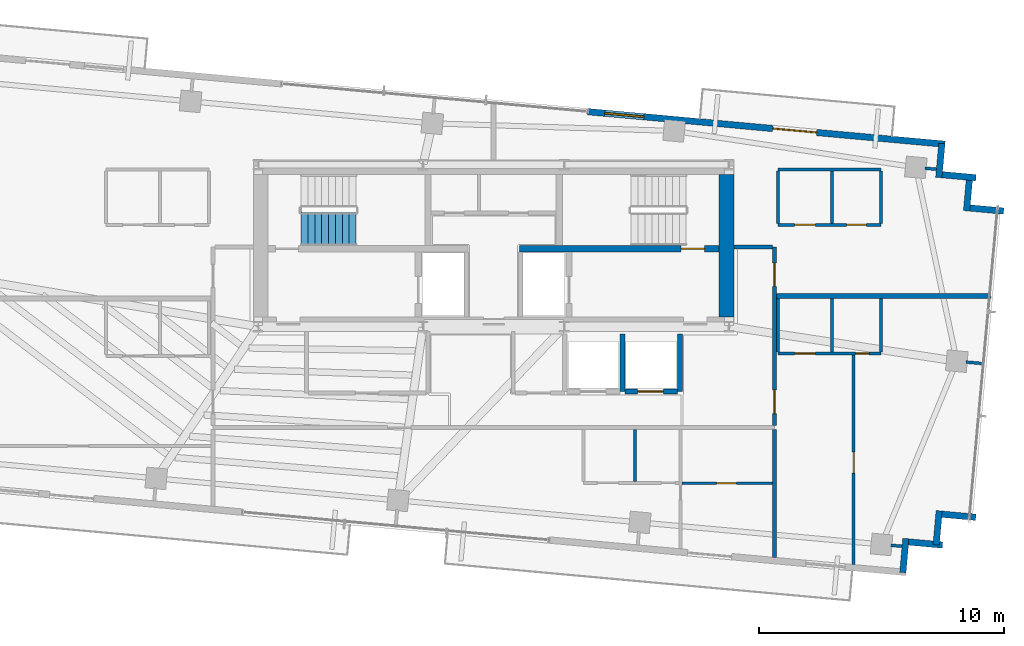
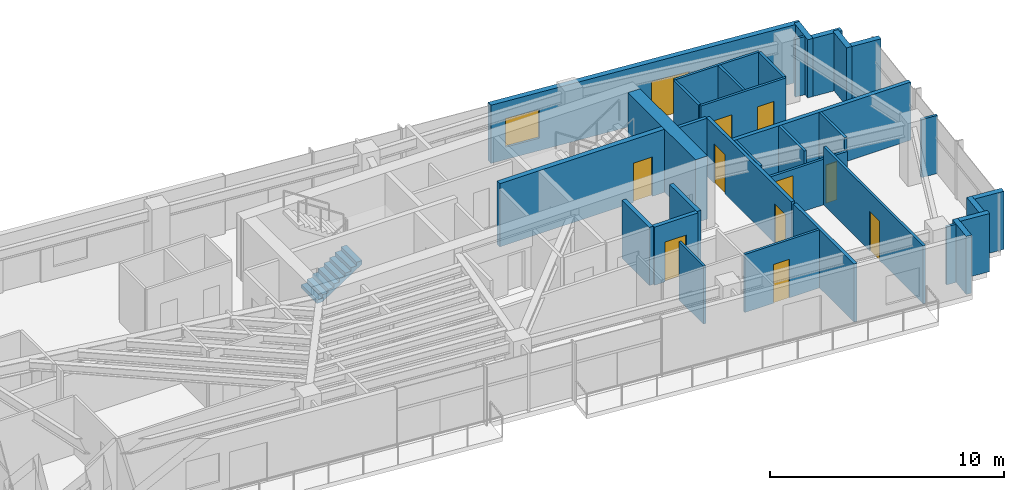
# One storey, part 18 of 22: 33 walls, 11 doors, 1 stair flight, 1 window, 12 openings, 1 element without a shape of its own.
"""IFC4 building model written with IfcOpenShell, lengths in metres."""

from ifc_helpers import new_model, si_unit, direction, frame, frame_2d, origin, place, context, subcontext, project, spatial, polyline, rectangle, outline, extrude, source, transform, mapped, material, layer, layer_set, type_object, type_shapes, element, fill, aggregate, save


model = new_model("IFC4")

# Units and contexts
model_context = context("Model", 3, precision=1e-05, world=origin(), true_north=direction((0.0, 1.0)))
body_context = subcontext(model_context, "Body", "Model", "MODEL_VIEW")
ifc_project = project(units=[si_unit("LENGTHUNIT", "METRE"), si_unit("AREAUNIT", "SQUARE_METRE"), si_unit("VOLUMEUNIT", "CUBIC_METRE"), si_unit("PLANEANGLEUNIT", "RADIAN"), si_unit("MASSUNIT", "GRAM", prefix="KILO")], contexts=[model_context])

# Site, building, storey
site_placement = place(None, origin())
site = spatial("IfcSite", under=ifc_project, at=site_placement, CompositionType="ELEMENT")
building_placement = place(site_placement, origin())
building = spatial("IfcBuilding", under=site, at=building_placement, Name="Astriad Promenade Condominiums", CompositionType="ELEMENT")
storey_placement = place(building_placement, frame((0.0, 0.0, 249.60009765625)))
storey = spatial("IfcBuildingStorey", under=building, at=storey_placement, Name="L72", CompositionType="ELEMENT", Elevation=249.60009765625)

# Wall
ifc_material_1 = material(Name="Concrete C50/60", Category="concrete")
ifc_layer_1 = layer(ifc_material_1, 0.60009765625)
ifc_layer_set_1 = layer_set([ifc_layer_1], Name="Concrete C50/60")
wall_type_1 = type_object("IfcWallType", Name="CW-SHEAR-600", PredefinedType="SHEAR", material=ifc_layer_set_1)
wall_1_placement = place(storey_placement, frame((45.5, 17.802001953125, 0.0), z_axis=(0.0, 0.0, 1.0), x_axis=(0.0, 1.0, 0.0)))
element("IfcWall", 1, at=wall_1_placement, inside=storey, type_object=wall_type_1, Name="CW-CORE-E-L72", PredefinedType="SHEAR", context=body_context, shape_type="SweptSolid", body=[
    extrude(rectangle(XDim=5.7958984375, YDim=0.60009765625, at=frame_2d((2.89794921875, 0.0))), origin(), (0.0, 0.0, 1.0), 3.2998046875),
])

# Wall, opening, door
ifc_layer_2 = layer(ifc_material_1, 0.25)
ifc_layer_set_2 = layer_set([ifc_layer_2], Name="Concrete C50/60")
wall_type_2 = type_object("IfcWallType", Name="WALL-CORE-INT-250", PredefinedType="SOLIDWALL", material=ifc_layer_set_2)
wall_2_placement = place(storey_placement, frame((37.050048828125, 20.574951171875, 0.0), z_axis=(0.0, 0.0, 1.0), x_axis=(1.0, 0.0, 0.0)))
wall_2 = element("IfcWall", 2, at=wall_2_placement, inside=storey, type_object=wall_type_2, Name="CW-INT-H2-L72", PredefinedType="SOLIDWALL", context=body_context, shape_type="SweptSolid", body=[
    extrude(rectangle(XDim=8.14794921875, YDim=0.25, at=frame_2d((4.073974609375, 0.0))), origin(), (0.0, 0.0, 1.0), 3.2998046875),
])
opening_1_placement = place(wall_2_placement, frame((6.60009765625, 0.0, 0.0)))
opening_1 = element("IfcOpeningElement", 3, at=opening_1_placement, cuts=wall_2, Name="Opening FD90-ST-095", PredefinedType="OPENING", context=body_context, shape_type="SweptSolid", body=[
    extrude(rectangle(XDim=0.949951171875, YDim=2.06005859375, at=frame_2d((0.47509765625, 1.030029296875))), frame((0.0, 0.135009765625, 0.0), z_axis=(0.0, -1.0, 0.0), x_axis=(1.0, 0.0, 0.0)), (0.0, 0.0, 1.0), 0.27001953125),
])
ifc_material_2 = material(Name="Fire-Rated Hollow Metal Stair Door")
door_type_1 = type_object("IfcDoorType", Name="FD90-ST-095", OperationType="NOTDEFINED", PredefinedType="DOOR", material=ifc_material_2)
shared_shape_1 = source(origin(), body_context, "Body", "SweptSolid", [
    extrude(rectangle(XDim=0.949951171875, YDim=2.06005859375, at=frame_2d((0.47509765625, 1.030029296875))), frame((0.0, 0.02490234375, 0.0), z_axis=(0.0, -1.0, 0.0), x_axis=(1.0, 0.0, 0.0)), (0.0, 0.0, 1.0), 0.050048828125),
])
type_shapes(door_type_1, [shared_shape_1])
door_1_placement = place(opening_1_placement, origin())
door_1 = element("IfcDoor", 4, at=door_1_placement, inside=storey, type_object=door_type_1, Name="D-ST2-L72", OperationType="SINGLE_SWING_LEFT", OverallHeight=2.06005859375, OverallWidth=0.949951171875, PredefinedType="DOOR", context=body_context, shape_type="MappedRepresentation", body=[
    mapped(shared_shape_1, transform((0.0, 0.0, 0.0), scale=1.0)),
])
fill(opening_1, door_1)

# Wall
ifc_material_3 = material(Name="Fire-Rated Gypsum Partition")
ifc_layer_3 = layer(ifc_material_3, 0.159912109375)
ifc_layer_set_3 = layer_set([ifc_layer_3], Name="Fire-Rated Gypsum Partition")
wall_type_3 = type_object("IfcWallType", Name="WALL-CORR-160", PredefinedType="PARTITIONING", material=ifc_layer_set_3)
wall_3_placement = place(storey_placement, frame((47.449951171875, 7.9931640625, 0.0), z_axis=(0.0, 0.0, 1.0), x_axis=(0.0, 1.0, 0.0)))
element("IfcWall", 5, at=wall_3_placement, inside=storey, type_object=wall_type_3, Name="PT-COR-E-L72", PredefinedType="PARTITIONING", context=body_context, shape_type="SweptSolid", body=[
    extrude(rectangle(XDim=5.204833984375, YDim=0.159912109375, at=frame_2d((2.6025390625, 0.0))), origin(), (0.0, 0.0, 1.0), 3.039794921875),
])

# Wall, openings, doors
wall_4_placement = place(storey_placement, frame((47.449951171875, 13.362060546875, 0.0), z_axis=(0.0, 0.0, 1.0), x_axis=(0.0, 1.0, 0.0)))
wall_4 = element("IfcWall", 6, at=wall_4_placement, inside=storey, type_object=wall_type_3, Name="PT-COR-E-L72-S2", PredefinedType="PARTITIONING", context=body_context, shape_type="SweptSolid", body=[
    extrude(rectangle(XDim=7.287841796875, YDim=0.159912109375, at=frame_2d((3.64404296875, 0.0))), origin(), (0.0, 0.0, 1.0), 3.039794921875),
])
opening_2_placement = place(wall_4_placement, frame((0.492919921875, 0.0, 0.0)))
opening_2 = element("IfcOpeningElement", 7, at=opening_2_placement, cuts=wall_4, Name="Opening FD60-APT-095", PredefinedType="OPENING", context=body_context, shape_type="SweptSolid", body=[
    extrude(rectangle(XDim=0.949951171875, YDim=2.06005859375, at=frame_2d((0.47509765625, 1.030029296875))), frame((0.0, 0.08984375, 0.0), z_axis=(0.0, -1.0, 0.0), x_axis=(1.0, 0.0, 0.0)), (0.0, 0.0, 1.0), 0.179931640625),
])
opening_3_placement = place(wall_4_placement, frame((5.680908203125, 0.0, 0.0)))
opening_3 = element("IfcOpeningElement", 8, at=opening_3_placement, cuts=wall_4, Name="Opening FD60-APT-095", PredefinedType="OPENING", context=body_context, shape_type="SweptSolid", body=[
    extrude(rectangle(XDim=0.949951171875, YDim=2.06005859375, at=frame_2d((0.47509765625, 1.030029296875))), frame((0.0, 0.08984375, 0.0), z_axis=(0.0, -1.0, 0.0), x_axis=(1.0, 0.0, 0.0)), (0.0, 0.0, 1.0), 0.179931640625),
])
ifc_material_4 = material(Name="Solid-Core Acoustic Timber Residence Entry Door", Category="wood")
door_type_2 = type_object("IfcDoorType", Name="FD60-APT-095", OperationType="NOTDEFINED", PredefinedType="DOOR", material=ifc_material_4)
shared_shape_2 = source(origin(), body_context, "Body", "SweptSolid", [
    extrude(rectangle(XDim=0.949951171875, YDim=2.06005859375, at=frame_2d((0.47509765625, 1.030029296875))), frame((0.0, 0.02490234375, 0.0), z_axis=(0.0, -1.0, 0.0), x_axis=(1.0, 0.0, 0.0)), (0.0, 0.0, 1.0), 0.050048828125),
])
type_shapes(door_type_2, [shared_shape_2])
door_2_placement = place(opening_2_placement, origin())
door_2 = element("IfcDoor", 9, at=door_2_placement, inside=storey, type_object=door_type_2, Name="D-ENT-L72-E1", OperationType="SINGLE_SWING_RIGHT", OverallHeight=2.06005859375, OverallWidth=0.949951171875, PredefinedType="DOOR", context=body_context, shape_type="MappedRepresentation", body=[
    mapped(shared_shape_2, transform((0.0, 0.0, 0.0), scale=1.0)),
])
fill(opening_2, door_2)
door_3_placement = place(opening_3_placement, origin())
door_3 = element("IfcDoor", 10, at=door_3_placement, inside=storey, type_object=door_type_2, Name="D-ENT-L72-E2", OperationType="SINGLE_SWING_RIGHT", OverallHeight=2.06005859375, OverallWidth=0.949951171875, PredefinedType="DOOR", context=body_context, shape_type="MappedRepresentation", body=[
    mapped(shared_shape_2, transform((0.0, 0.0, 0.0), scale=1.0)),
])
fill(opening_3, door_3)

# Walls
wall_5_placement = place(storey_placement, frame((45.802001953125, 20.64990234375, 0.0), z_axis=(0.0, 0.0, 1.0), x_axis=(1.0, 0.0, 0.0)))
element("IfcWall", 11, at=wall_5_placement, inside=storey, type_object=wall_type_3, Name="PT-Z3E-N-L72", PredefinedType="PARTITIONING", context=body_context, shape_type="SweptSolid", body=[
    extrude(rectangle(XDim=1.56591796875, YDim=0.159912109375, at=frame_2d((0.782958984375, 0.0))), origin(), (0.0, 0.0, 1.0), 3.039794921875),
])
ifc_material_5 = material(Name="Acoustic Double-Stud Gypsum Partition")
ifc_layer_4 = layer(ifc_material_5, 0.199951171875)
ifc_layer_set_4 = layer_set([ifc_layer_4], Name="Acoustic Double-Stud Gypsum Partition")
wall_type_4 = type_object("IfcWallType", Name="WALL-DEMISING-200", PredefinedType="PARTITIONING", material=ifc_layer_set_4)
wall_6_placement = place(storey_placement, frame((47.531982421875, 18.64990234375, 0.0), z_axis=(0.0, 0.0, 1.0), x_axis=(1.0, 0.0, 0.0)))
element("IfcWall", 12, at=wall_6_placement, inside=storey, type_object=wall_type_4, Name="PT-DEM-EE-L72", PredefinedType="PARTITIONING", context=body_context, shape_type="SweptSolid", body=[
    extrude(rectangle(XDim=8.743408203125, YDim=0.199951171875, at=frame_2d((4.37158203125, 0.0))), origin(), (0.0, 0.0, 1.0), 3.039794921875),
])

# Wall, openings, door, window
ifc_material_6 = material(Name="Precast concrete C50/60", Category="concrete")
ifc_layer_5 = layer(ifc_material_6, 0.260009765625)
ifc_layer_set_5 = layer_set([ifc_layer_5], Name="Precast concrete C50/60")
wall_type_5 = type_object("IfcWallType", Name="WALL-EXT-TWR-260", PredefinedType="STANDARD", material=ifc_layer_set_5)
wall_7_placement = place(storey_placement, frame((39.839111328125, 26.16552734375, 0.0), z_axis=(0.0, 0.0, 1.0), x_axis=(0.995884447498, -0.090632043071, 0.0)))
wall_7 = element("IfcWall", 13, at=wall_7_placement, inside=storey, type_object=wall_type_5, Name="W-EXT-L72-N2", PredefinedType="STANDARD", context=body_context, shape_type="SweptSolid", body=[
    extrude(rectangle(XDim=14.6298828125, YDim=0.260009765625, at=frame_2d((7.31494140625, 0.0))), origin(), (0.0, 0.0, 1.0), 3.039794921875),
])
opening_4_placement = place(wall_7_placement, frame((7.570068359375, 0.0, 0.0)))
opening_4 = element("IfcOpeningElement", 14, at=opening_4_placement, cuts=wall_7, Name="Opening BD-1822-SLD", PredefinedType="OPENING", context=body_context, shape_type="SweptSolid", body=[
    extrude(rectangle(XDim=1.800048828125, YDim=2.06005859375, at=frame_2d((0.89990234375, 1.030029296875))), frame((0.0, 0.139892578125, 0.0), z_axis=(0.0, -1.0, 0.0), x_axis=(1.0, 0.0, 0.0)), (0.0, 0.0, 1.0), 0.280029296875),
])
opening_5_placement = place(wall_7_placement, frame((0.699951171875, 0.0, 0.64990234375)))
opening_5 = element("IfcOpeningElement", 15, at=opening_5_placement, cuts=wall_7, Name="Opening WIN-TWR-1620", PredefinedType="OPENING", context=body_context, shape_type="SweptSolid", body=[
    extrude(rectangle(XDim=1.60009765625, YDim=1.5, at=frame_2d((0.800048828125, 0.75))), frame((0.0, 0.139892578125, 0.0), z_axis=(0.0, -1.0, 0.0), x_axis=(1.0, 0.0, 0.0)), (0.0, 0.0, 1.0), 0.280029296875),
])
ifc_material_7 = material(Name="Thermally Broken Aluminium Sliding Balcony Door", Category="aluminium")
door_type_3 = type_object("IfcDoorType", Name="BD-1822-SLD", OperationType="NOTDEFINED", PredefinedType="DOOR", material=ifc_material_7)
shared_shape_3 = source(origin(), body_context, "Body", "SweptSolid", [
    extrude(rectangle(XDim=1.800048828125, YDim=2.06005859375, at=frame_2d((0.89990234375, 1.030029296875))), frame((0.0, 0.02490234375, 0.0), z_axis=(0.0, -1.0, 0.0), x_axis=(1.0, 0.0, 0.0)), (0.0, 0.0, 1.0), 0.050048828125),
])
type_shapes(door_type_3, [shared_shape_3])
door_4_placement = place(opening_4_placement, origin())
door_4 = element("IfcDoor", 16, at=door_4_placement, inside=storey, type_object=door_type_3, Name="BD-L72-NE", OperationType="SLIDING_TO_RIGHT", OverallHeight=2.06005859375, OverallWidth=1.800048828125, PredefinedType="DOOR", context=body_context, shape_type="MappedRepresentation", body=[
    mapped(shared_shape_3, transform((0.0, 0.0, 0.0), scale=1.0)),
])
fill(opening_4, door_4)
ifc_material_8 = material(Name="Dark Tinted Triple-Glazed Aluminium Window", Category="aluminium")
window_type = type_object("IfcWindowType", Name="WIN-TWR-1620", PartitioningType="SINGLE_PANEL", PredefinedType="WINDOW", material=ifc_material_8)
shared_shape_4 = source(origin(), body_context, "Body", "SweptSolid", [
    extrude(rectangle(XDim=1.60009765625, YDim=1.5, at=frame_2d((0.800048828125, 0.75))), frame((0.0, 0.030029296875, 0.0), z_axis=(0.0, -1.0, 0.0), x_axis=(1.0, 0.0, 0.0)), (0.0, 0.0, 1.0), 0.06005859375),
])
type_shapes(window_type, [shared_shape_4])
window_placement = place(opening_5_placement, origin())
window = element("IfcWindow", 17, at=window_placement, inside=storey, type_object=window_type, Name="WIN-L72-NE", OverallHeight=1.5, OverallWidth=1.60009765625, PartitioningType="SINGLE_PANEL", PredefinedType="WINDOW", context=body_context, shape_type="MappedRepresentation", body=[
    mapped(shared_shape_4, transform((0.0, 0.0, 0.0), scale=1.0)),
])
fill(opening_5, window)

# Walls
wall_8_placement = place(storey_placement, frame((54.28076171875, 24.866455078125, 0.0), z_axis=(0.0, 0.0, 1.0), x_axis=(-0.090661991521, -0.995881721538, 0.0)))
element("IfcWall", 18, at=wall_8_placement, inside=storey, type_object=wall_type_5, Name="W-SER-L72-09", PredefinedType="STANDARD", context=body_context, shape_type="SweptSolid", body=[
    extrude(rectangle(XDim=1.39501953125, YDim=0.260009765625, at=frame_2d((0.697509765625, 0.0))), origin(), (0.0, 0.0, 1.0), 3.039794921875),
])
for number, where, z_axis, x_axis, name in (
    (19, (54.280517578125, 23.59619140625, 0.0), (0.0, 0.0, 1.0), (0.995883159782, -0.090646191665, 0.0), "W-SER-L72-10"),
    (20, (55.412353515625, 23.50830078125, 0.0), (0.0, 0.0, 1.0), (-0.090646191665, -0.995883159782, 0.0), "W-SER-L72-11"),
    (21, (55.412109375, 22.238037109375, 0.0), (0.0, 0.0, 1.0), (0.995883159782, -0.090646191665, 0.0), "W-SER-L72-12"),
):
    element("IfcWall", number, at=place(storey_placement, frame(where, z_axis=z_axis, x_axis=x_axis)), inside=storey, type_object=wall_type_5, Name=name, PredefinedType="STANDARD", context=body_context, shape_type="SweptSolid", body=[
        extrude(rectangle(XDim=1.395263671875, YDim=0.260009765625, at=frame_2d((0.69775390625, 0.0))), origin(), (0.0, 0.0, 1.0), 3.039794921875),
    ])
for number, where, z_axis, x_axis, name in (
    (22, (55.664794921875, 9.623291015625, 0.0), (0.0, 0.0, 1.0), (-0.995881721538, 0.090661991521, 0.0), "W-SER-L72-14"),
    (23, (54.1728515625, 9.889404296875, 0.0), (0.0, 0.0, 1.0), (-0.090661991521, -0.995881721538, 0.0), "W-SER-L72-15"),
):
    element("IfcWall", number, at=place(storey_placement, frame(where, z_axis=z_axis, x_axis=x_axis)), inside=storey, type_object=wall_type_5, Name=name, PredefinedType="STANDARD", context=body_context, shape_type="SweptSolid", body=[
        extrude(rectangle(XDim=1.39501953125, YDim=0.260009765625, at=frame_2d((0.697509765625, 0.0))), origin(), (0.0, 0.0, 1.0), 3.039794921875),
    ])
for number, where, z_axis, x_axis, name in (
    (24, (54.306884765625, 8.49169921875, 0.0), (0.0, 0.0, 1.0), (-0.995883159782, 0.090646191665, 0.0), "W-SER-L72-16"),
    (25, (52.814697265625, 8.758056640625, 0.0), (0.0, 0.0, 1.0), (-0.090646191665, -0.995883159782, 0.0), "W-SER-L72-17"),
):
    element("IfcWall", number, at=place(storey_placement, frame(where, z_axis=z_axis, x_axis=x_axis)), inside=storey, type_object=wall_type_5, Name=name, PredefinedType="STANDARD", context=body_context, shape_type="SweptSolid", body=[
        extrude(rectangle(XDim=1.395263671875, YDim=0.260009765625, at=frame_2d((0.69775390625, 0.0))), origin(), (0.0, 0.0, 1.0), 3.039794921875),
    ])
ifc_material_9 = material(Name="Acoustic Metal-Stud Gypsum Partition")
ifc_layer_6 = layer(ifc_material_9, 0.1201171875)
ifc_layer_set_6 = layer_set([ifc_layer_6], Name="Acoustic Metal-Stud Gypsum Partition")
wall_type_6 = type_object("IfcWallType", Name="WALL-PART-120", PredefinedType="PARTITIONING", material=ifc_layer_set_6)
wall_9_placement = place(storey_placement, frame((41.77001953125, 11.092041015625, 0.0), z_axis=(0.0, 0.0, 1.0), x_axis=(0.0, 1.0, 0.0)))
element("IfcWall", 26, at=wall_9_placement, inside=storey, type_object=wall_type_6, Name="PT-L72-S1-PBK", PredefinedType="PARTITIONING", context=body_context, shape_type="SweptSolid", body=[
    extrude(rectangle(XDim=2.10595703125, YDim=0.1201171875, at=frame_2d((1.052978515625, 0.0))), origin(), (0.0, 0.0, 1.0), 3.039794921875),
])

# Wall, opening, door
wall_10_placement = place(storey_placement, frame((43.681884765625, 11.010986328125, 0.0), z_axis=(0.0, 0.0, 1.0), x_axis=(1.0, 0.0, 0.0)))
wall_10 = element("IfcWall", 27, at=wall_10_placement, inside=storey, type_object=wall_type_6, Name="PT-L72-S1-ENS", PredefinedType="PARTITIONING", context=body_context, shape_type="SweptSolid", body=[
    extrude(rectangle(XDim=3.68603515625, YDim=0.1201171875, at=frame_2d((1.843017578125, 0.0))), origin(), (0.0, 0.0, 1.0), 3.039794921875),
])
opening_6_placement = place(wall_10_placement, frame((1.4130859375, 0.0, 0.0)))
opening_6 = element("IfcOpeningElement", 28, at=opening_6_placement, cuts=wall_10, Name="Opening D-WET-080", PredefinedType="OPENING", context=body_context, shape_type="SweptSolid", body=[
    extrude(rectangle(XDim=0.800048828125, YDim=2.02001953125, at=frame_2d((0.39990234375, 1.010009765625))), frame((0.0, 0.070068359375, 0.0), z_axis=(0.0, -1.0, 0.0), x_axis=(1.0, 0.0, 0.0)), (0.0, 0.0, 1.0), 0.14013671875),
])
ifc_material_10 = material(Name="Moisture-Resistant Timber Bathroom Door", Category="wood")
door_type_4 = type_object("IfcDoorType", Name="D-WET-080", OperationType="NOTDEFINED", PredefinedType="DOOR", material=ifc_material_10)
shared_shape_5 = source(origin(), body_context, "Body", "SweptSolid", [
    extrude(rectangle(XDim=0.800048828125, YDim=2.02001953125, at=frame_2d((0.39990234375, 1.010009765625))), frame((0.0, 0.02490234375, 0.0), z_axis=(0.0, -1.0, 0.0), x_axis=(1.0, 0.0, 0.0)), (0.0, 0.0, 1.0), 0.050048828125),
])
type_shapes(door_type_4, [shared_shape_5])
door_5_placement = place(opening_6_placement, origin())
door_5 = element("IfcDoor", 29, at=door_5_placement, inside=storey, type_object=door_type_4, Name="D-ENS-L72-S1", OperationType="SINGLE_SWING_RIGHT", OverallHeight=2.02001953125, OverallWidth=0.800048828125, PredefinedType="DOOR", context=body_context, shape_type="MappedRepresentation", body=[
    mapped(shared_shape_5, transform((0.0, 0.0, 0.0), scale=1.0)),
])
fill(opening_6, door_5)

# Wall, openings, doors
wall_11_placement = place(storey_placement, frame((47.60009765625, 16.300048828125, 0.0), z_axis=(0.0, 0.0, 1.0), x_axis=(1.0, 0.0, 0.0)))
wall_11 = element("IfcWall", 30, at=wall_11_placement, inside=storey, type_object=wall_type_6, Name="PT-L72-E1-PH", PredefinedType="PARTITIONING", context=body_context, shape_type="SweptSolid", body=[
    extrude(rectangle(XDim=4.199951171875, YDim=0.1201171875, at=frame_2d((2.10009765625, 0.0))), origin(), (0.0, 0.0, 1.0), 2.38134765625),
])
opening_7_placement = place(wall_11_placement, frame((0.675048828125, 0.0, 0.0)))
opening_7 = element("IfcOpeningElement", 31, at=opening_7_placement, cuts=wall_11, Name="Opening D-INT-085", PredefinedType="OPENING", context=body_context, shape_type="SweptSolid", body=[
    extrude(rectangle(XDim=0.85009765625, YDim=2.050048828125, at=frame_2d((0.425048828125, 1.02490234375))), frame((0.0, 0.070068359375, 0.0), z_axis=(0.0, -1.0, 0.0), x_axis=(1.0, 0.0, 0.0)), (0.0, 0.0, 1.0), 0.14013671875),
])
opening_8_placement = place(wall_11_placement, frame((3.1650390625, 0.0, 0.0)))
opening_8 = element("IfcOpeningElement", 32, at=opening_8_placement, cuts=wall_11, Name="Opening D-AC-055", PredefinedType="OPENING", context=body_context, shape_type="SweptSolid", body=[
    extrude(rectangle(XDim=0.550048828125, YDim=2.0, at=frame_2d((0.27490234375, 1.0))), frame((0.0, 0.070068359375, 0.0), z_axis=(0.0, -1.0, 0.0), x_axis=(1.0, 0.0, 0.0)), (0.0, 0.0, 1.0), 0.14013671875),
])
ifc_material_11 = material(Name="Painted Solid-Core Timber Room Door", Category="wood")
door_type_5 = type_object("IfcDoorType", Name="D-INT-085", OperationType="NOTDEFINED", PredefinedType="DOOR", material=ifc_material_11)
shared_shape_6 = source(origin(), body_context, "Body", "SweptSolid", [
    extrude(rectangle(XDim=0.85009765625, YDim=2.050048828125, at=frame_2d((0.425048828125, 1.02490234375))), frame((0.0, 0.02490234375, 0.0), z_axis=(0.0, -1.0, 0.0), x_axis=(1.0, 0.0, 0.0)), (0.0, 0.0, 1.0), 0.050048828125),
])
type_shapes(door_type_5, [shared_shape_6])
door_6_placement = place(opening_7_placement, origin())
door_6 = element("IfcDoor", 33, at=door_6_placement, inside=storey, type_object=door_type_5, Name="D-KIT-L72-E1", OperationType="SINGLE_SWING_RIGHT", OverallHeight=2.050048828125, OverallWidth=0.85009765625, PredefinedType="DOOR", context=body_context, shape_type="MappedRepresentation", body=[
    mapped(shared_shape_6, transform((0.0, 0.0, 0.0), scale=1.0)),
])
fill(opening_7, door_6)
ifc_material_12 = material(Name="Painted Timber Access Door", Category="wood")
door_type_6 = type_object("IfcDoorType", Name="D-AC-055", OperationType="NOTDEFINED", PredefinedType="DOOR", material=ifc_material_12)
shared_shape_7 = source(origin(), body_context, "Body", "SweptSolid", [
    extrude(rectangle(XDim=0.550048828125, YDim=2.0, at=frame_2d((0.27490234375, 1.0))), frame((0.0, 0.02490234375, 0.0), z_axis=(0.0, -1.0, 0.0), x_axis=(1.0, 0.0, 0.0)), (0.0, 0.0, 1.0), 0.050048828125),
])
type_shapes(door_type_6, [shared_shape_7])
door_7_placement = place(opening_8_placement, origin())
door_7 = element("IfcDoor", 34, at=door_7_placement, inside=storey, type_object=door_type_6, Name="D-BTH-L72-E1", OperationType="SINGLE_SWING_LEFT", OverallHeight=2.0, OverallWidth=0.550048828125, PredefinedType="DOOR", context=body_context, shape_type="MappedRepresentation", body=[
    mapped(shared_shape_7, transform((0.0, 0.0, 0.0), scale=1.0)),
])
fill(opening_8, door_7)

# Walls
for number, where, z_axis, x_axis, name in (
    (35, (47.60009765625, 16.362060546875, 0.0), (0.0, 0.0, 1.0), (0.0, 1.0, 0.0), "PT-L72-E1-PK1"),
    (36, (49.800048828125, 16.362060546875, 0.0), (0.0, 0.0, 1.0), (0.0, 1.0, 0.0), "PT-L72-E1-PK2"),
    (37, (51.800048828125, 16.362060546875, 0.0), (0.0, 0.0, 1.0), (0.0, 1.0, 0.0), "PT-L72-E1-PK3"),
):
    element("IfcWall", number, at=place(storey_placement, frame(where, z_axis=z_axis, x_axis=x_axis)), inside=storey, type_object=wall_type_6, Name=name, PredefinedType="PARTITIONING", context=body_context, shape_type="SweptSolid", body=[
        extrude(rectangle(XDim=2.18603515625, YDim=0.1201171875, at=frame_2d((1.093017578125, 0.0))), origin(), (0.0, 0.0, 1.0), 3.039794921875),
    ])

# Wall, opening, door
wall_12_placement = place(storey_placement, frame((50.681884765625, 7.698974609375, 0.0), z_axis=(0.0, 0.0, 1.0), x_axis=(0.0, 1.0, 0.0)))
wall_12 = element("IfcWall", 38, at=wall_12_placement, inside=storey, type_object=wall_type_6, Name="PT-L72-E1-CAP1", PredefinedType="PARTITIONING", context=body_context, shape_type="SweptSolid", body=[
    extrude(rectangle(XDim=8.5390625, YDim=0.1201171875, at=frame_2d((4.26953125, 0.0))), origin(), (0.0, 0.0, 1.0), 3.039794921875),
])
opening_9_placement = place(wall_12_placement, frame((3.72998046875, 0.0, 0.0)))
opening_9 = element("IfcOpeningElement", 39, at=opening_9_placement, cuts=wall_12, Name="Opening D-INT-085", PredefinedType="OPENING", context=body_context, shape_type="SweptSolid", body=[
    extrude(rectangle(XDim=0.85009765625, YDim=2.050048828125, at=frame_2d((0.425048828125, 1.02490234375))), frame((0.0, 0.070068359375, 0.0), z_axis=(0.0, -1.0, 0.0), x_axis=(1.0, 0.0, 0.0)), (0.0, 0.0, 1.0), 0.14013671875),
])
door_8_placement = place(opening_9_placement, origin())
door_8 = element("IfcDoor", 40, at=door_8_placement, inside=storey, type_object=door_type_5, Name="D-CAP1-L72-E1", OperationType="SINGLE_SWING_LEFT", OverallHeight=2.050048828125, OverallWidth=0.85009765625, PredefinedType="DOOR", context=body_context, shape_type="MappedRepresentation", body=[
    mapped(shared_shape_6, transform((0.0, 0.0, 0.0), scale=1.0)),
])
fill(opening_9, door_8)

# Wall, openings, doors
wall_13_placement = place(storey_placement, frame((47.60009765625, 21.550048828125, 0.0), z_axis=(0.0, 0.0, 1.0), x_axis=(1.0, 0.0, 0.0)))
wall_13 = element("IfcWall", 41, at=wall_13_placement, inside=storey, type_object=wall_type_6, Name="PT-L72-E2-PH", PredefinedType="PARTITIONING", context=body_context, shape_type="SweptSolid", body=[
    extrude(rectangle(XDim=4.199951171875, YDim=0.1201171875, at=frame_2d((2.10009765625, 0.0))), origin(), (0.0, 0.0, 1.0), 3.039794921875),
])
opening_10_placement = place(wall_13_placement, frame((0.675048828125, 0.0, 0.0)))
opening_10 = element("IfcOpeningElement", 42, at=opening_10_placement, cuts=wall_13, Name="Opening D-INT-085", PredefinedType="OPENING", context=body_context, shape_type="SweptSolid", body=[
    extrude(rectangle(XDim=0.85009765625, YDim=2.050048828125, at=frame_2d((0.425048828125, 1.02490234375))), frame((0.0, 0.070068359375, 0.0), z_axis=(0.0, -1.0, 0.0), x_axis=(1.0, 0.0, 0.0)), (0.0, 0.0, 1.0), 0.14013671875),
])
opening_11_placement = place(wall_13_placement, frame((2.800048828125, 0.0, 0.0)))
opening_11 = element("IfcOpeningElement", 43, at=opening_11_placement, cuts=wall_13, Name="Opening D-WET-080", PredefinedType="OPENING", context=body_context, shape_type="SweptSolid", body=[
    extrude(rectangle(XDim=0.800048828125, YDim=2.02001953125, at=frame_2d((0.39990234375, 1.010009765625))), frame((0.0, 0.070068359375, 0.0), z_axis=(0.0, -1.0, 0.0), x_axis=(1.0, 0.0, 0.0)), (0.0, 0.0, 1.0), 0.14013671875),
])
door_9_placement = place(opening_11_placement, origin())
door_9 = element("IfcDoor", 44, at=door_9_placement, inside=storey, type_object=door_type_4, Name="D-BTH-L72-E2", OperationType="SINGLE_SWING_RIGHT", OverallHeight=2.02001953125, OverallWidth=0.800048828125, PredefinedType="DOOR", context=body_context, shape_type="MappedRepresentation", body=[
    mapped(shared_shape_5, transform((0.0, 0.0, 0.0), scale=1.0)),
])
fill(opening_11, door_9)
door_10_placement = place(opening_10_placement, origin())
door_10 = element("IfcDoor", 45, at=door_10_placement, inside=storey, type_object=door_type_5, Name="D-KIT-L72-E2", OperationType="SINGLE_SWING_LEFT", OverallHeight=2.050048828125, OverallWidth=0.85009765625, PredefinedType="DOOR", context=body_context, shape_type="MappedRepresentation", body=[
    mapped(shared_shape_6, transform((0.0, 0.0, 0.0), scale=1.0)),
])
fill(opening_10, door_10)

# Walls
wall_14_placement = place(storey_placement, frame((47.60009765625, 23.800048828125, 0.0), z_axis=(0.0, 0.0, 1.0), x_axis=(1.0, 0.0, 0.0)))
element("IfcWall", 46, at=wall_14_placement, inside=storey, type_object=wall_type_6, Name="PT-L72-E2-PHN", PredefinedType="PARTITIONING", context=body_context, shape_type="SweptSolid", body=[
    extrude(rectangle(XDim=4.199951171875, YDim=0.1201171875, at=frame_2d((2.10009765625, 0.0))), origin(), (0.0, 0.0, 1.0), 3.039794921875),
])
for number, where, z_axis, x_axis, name in (
    (47, (47.60009765625, 21.612060546875, 0.0), (0.0, 0.0, 1.0), (0.0, 1.0, 0.0), "PT-L72-E2-PK1"),
    (48, (49.800048828125, 21.612060546875, 0.0), (0.0, 0.0, 1.0), (0.0, 1.0, 0.0), "PT-L72-E2-PK2"),
    (49, (51.800048828125, 21.612060546875, 0.0), (0.0, 0.0, 1.0), (0.0, 1.0, 0.0), "PT-L72-E2-PK3"),
):
    element("IfcWall", number, at=place(storey_placement, frame(where, z_axis=z_axis, x_axis=x_axis)), inside=storey, type_object=wall_type_6, Name=name, PredefinedType="PARTITIONING", context=body_context, shape_type="SweptSolid", body=[
        extrude(rectangle(XDim=2.1259765625, YDim=0.1201171875, at=frame_2d((1.06298828125, 0.0))), origin(), (0.0, 0.0, 1.0), 3.039794921875),
    ])
for number, where, z_axis, x_axis, name in (
    (50, (52.197265625, 8.48291015625, 0.0), (0.0, 0.0, 1.0), (0.995884462012, -0.090631883588, 0.0), "PT-PIL-L72-PC05-12"),
    (51, (53.5966796875, 23.859375, 0.0), (0.0, 0.0, 1.0), (0.995884462012, -0.090631883588, 0.0), "PT-PIL-L72-PC10-17"),
):
    element("IfcWall", number, at=place(storey_placement, frame(where, z_axis=z_axis, x_axis=x_axis)), inside=storey, type_object=wall_type_6, Name=name, PredefinedType="PARTITIONING", context=body_context, shape_type="SweptSolid", body=[
        extrude(rectangle(XDim=0.4580078125, YDim=0.1201171875, at=frame_2d((0.22900390625, 0.0))), origin(), (0.0, 0.0, 1.0), 3.039794921875),
    ])
wall_15_placement = place(storey_placement, frame((55.26708984375, 15.955322265625, 0.0), z_axis=(0.0, 0.0, 1.0), x_axis=(0.995887938321, -0.09059367697, 0.0)))
element("IfcWall", 52, at=wall_15_placement, inside=storey, type_object=wall_type_6, Name="PT-PIL-L72-PC12-19", PredefinedType="PARTITIONING", context=body_context, shape_type="SweptSolid", body=[
    extrude(rectangle(XDim=0.760009765625, YDim=0.1201171875, at=frame_2d((0.3798828125, 0.0))), origin(), (0.0, 0.0, 1.0), 3.039794921875),
])
ifc_material_13 = material(Name="Gypsum Shaftliner Assembly")
ifc_layer_7 = layer(ifc_material_13, 0.199951171875)
ifc_layer_set_7 = layer_set([ifc_layer_7], Name="Gypsum Shaftliner Assembly")
wall_type_7 = type_object("IfcWallType", Name="WALL-SHAFT-200", PredefinedType="PARTITIONING", material=ifc_layer_set_7)
for number, where, z_axis, x_axis, name in (
    (53, (41.25, 14.75, 0.0), (0.0, 0.0, 1.0), (0.0, 1.0, 0.0), "PL-H-DIV-L72"),
    (54, (43.60009765625, 14.75, 0.0), (0.0, 0.0, 1.0), (0.0, 1.0, 0.0), "PL-E-OUT-L72"),
):
    element("IfcWall", number, at=place(storey_placement, frame(where, z_axis=z_axis, x_axis=x_axis)), inside=storey, type_object=wall_type_7, Name=name, PredefinedType="PARTITIONING", context=body_context, shape_type="SweptSolid", body=[
        extrude(rectangle(XDim=2.35009765625, YDim=0.199951171875, at=frame_2d((1.175048828125, 0.0))), origin(), (0.0, 0.0, 1.0), 3.039794921875),
    ])

# Wall, opening, door
wall_16_placement = place(storey_placement, frame((41.35205078125, 14.75, 0.0), z_axis=(0.0, 0.0, 1.0), x_axis=(1.0, 0.0, 0.0)))
wall_16 = element("IfcWall", 55, at=wall_16_placement, inside=storey, type_object=wall_type_7, Name="PL-H-FRT-L72-S2", PredefinedType="PARTITIONING", context=body_context, shape_type="SweptSolid", body=[
    extrude(rectangle(XDim=2.14599609375, YDim=0.199951171875, at=frame_2d((1.072998046875, 0.0))), origin(), (0.0, 0.0, 1.0), 3.039794921875),
])
opening_12_placement = place(wall_16_placement, frame((0.52294921875, 0.0, 0.0)))
opening_12 = element("IfcOpeningElement", 56, at=opening_12_placement, cuts=wall_16, Name="Opening LD-PL-10522", PredefinedType="OPENING", context=body_context, shape_type="SweptSolid", body=[
    extrude(rectangle(XDim=1.050048828125, YDim=2.080078125, at=frame_2d((0.52490234375, 1.0400390625))), frame((0.0, 0.10986328125, 0.0), z_axis=(0.0, -1.0, 0.0), x_axis=(1.0, 0.0, 0.0)), (0.0, 0.0, 1.0), 0.219970703125),
])
ifc_material_14 = material(Name="Brushed Bronze Passenger Elevator Landing Door")
door_type_7 = type_object("IfcDoorType", Name="LD-PL-10522", OperationType="NOTDEFINED", PredefinedType="DOOR", material=ifc_material_14)
shared_shape_8 = source(origin(), body_context, "Body", "SweptSolid", [
    extrude(rectangle(XDim=1.050048828125, YDim=2.080078125, at=frame_2d((0.52490234375, 1.0400390625))), frame((0.0, 0.02490234375, 0.0), z_axis=(0.0, -1.0, 0.0), x_axis=(1.0, 0.0, 0.0)), (0.0, 0.0, 1.0), 0.050048828125),
])
type_shapes(door_type_7, [shared_shape_8])
door_11_placement = place(opening_12_placement, origin())
door_11 = element("IfcDoor", 57, at=door_11_placement, inside=storey, type_object=door_type_7, Name="Elevator Landing Door PL-H2 (L72)", OperationType="SLIDING_TO_RIGHT", OverallHeight=2.080078125, OverallWidth=1.050048828125, PredefinedType="DOOR", context=body_context, shape_type="MappedRepresentation", body=[
    mapped(shared_shape_8, transform((0.0, 0.0, 0.0), scale=1.0)),
])
fill(opening_12, door_11)

# Stair, stair flight
stair_type = type_object("IfcStairType", Name="STR-CORE-1350", PredefinedType="HALF_TURN_STAIR", material=ifc_material_1)
stair_placement = place(storey_placement, origin())
stair = element("IfcStair", 58, at=stair_placement, inside=storey, type_object=stair_type, Name="L72 Enclosed Core Exit Stair ST-1", PredefinedType="HALF_TURN_STAIR")
stair_flight_type = type_object("IfcStairFlightType", Name="SFL-CORE-1350", PredefinedType="STRAIGHT", material=ifc_material_1)
shared_shape_9 = source(origin(), body_context, "Body", "SweptSolid", [
    extrude(outline(polyline([(0.0, 0.0), (0.0, 0.183349609375), (0.280029296875, 0.183349609375), (0.280029296875, 0.36669921875), (0.56005859375, 0.36669921875), (0.56005859375, 0.550048828125), (0.840087890625, 0.550048828125), (0.840087890625, 0.7333984375), (1.1201171875, 0.7333984375), (1.1201171875, 0.916748046875), (1.39990234375, 0.916748046875), (1.39990234375, 1.10009765625), (1.679931640625, 1.10009765625), (1.679931640625, 1.283447265625), (1.9599609375, 1.283447265625), (1.9599609375, 1.466552734375), (2.239990234375, 1.466552734375), (2.239990234375, 1.64990234375), (2.239990234375, 1.28759765625), (0.273681640625, 0.0), (0.0, 0.0)])), frame((0.0, 0.675048828125, 0.0), z_axis=(0.0, -1.0, 0.0), x_axis=(1.0, 0.0, 0.0)), (0.0, 0.0, 1.0), 1.35009765625),
])
type_shapes(stair_flight_type, [shared_shape_9])
stair_flight_placement = place(storey_placement, frame((28.14990234375, 21.375, 0.0), z_axis=(0.0, 0.0, 1.0), x_axis=(1.0, 0.0, 0.0)))
stair_flight = element("IfcStairFlight", 59, at=stair_flight_placement, type_object=stair_flight_type, Name="ST-1 flight 1", NumberOfRisers=9, NumberOfTreads=8, PredefinedType="STRAIGHT", RiserHeight=0.183333333, TreadLength=0.28, context=body_context, shape_type="MappedRepresentation", body=[
    mapped(shared_shape_9, transform((0.0, 0.0, 0.0), scale=1.0)),
])
aggregate(stair, [stair_flight])

save(model, "model.ifc")
